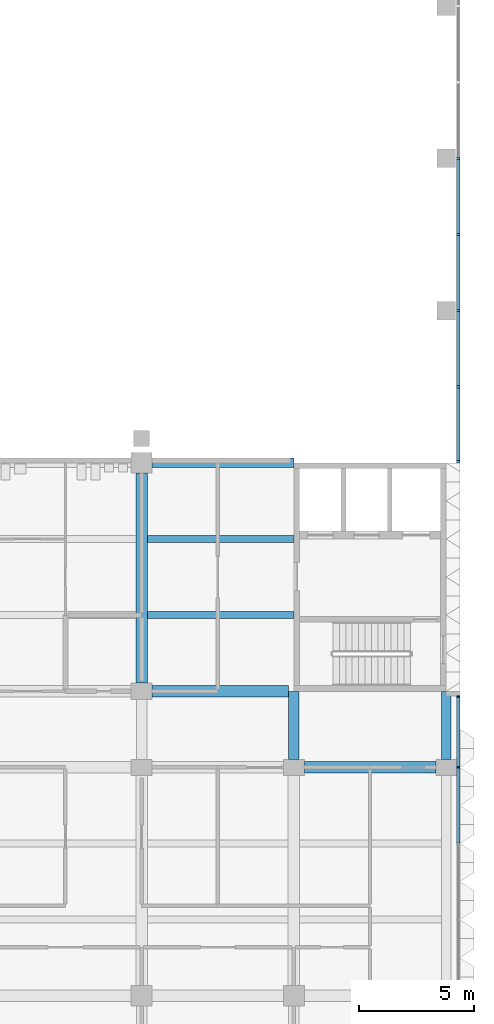
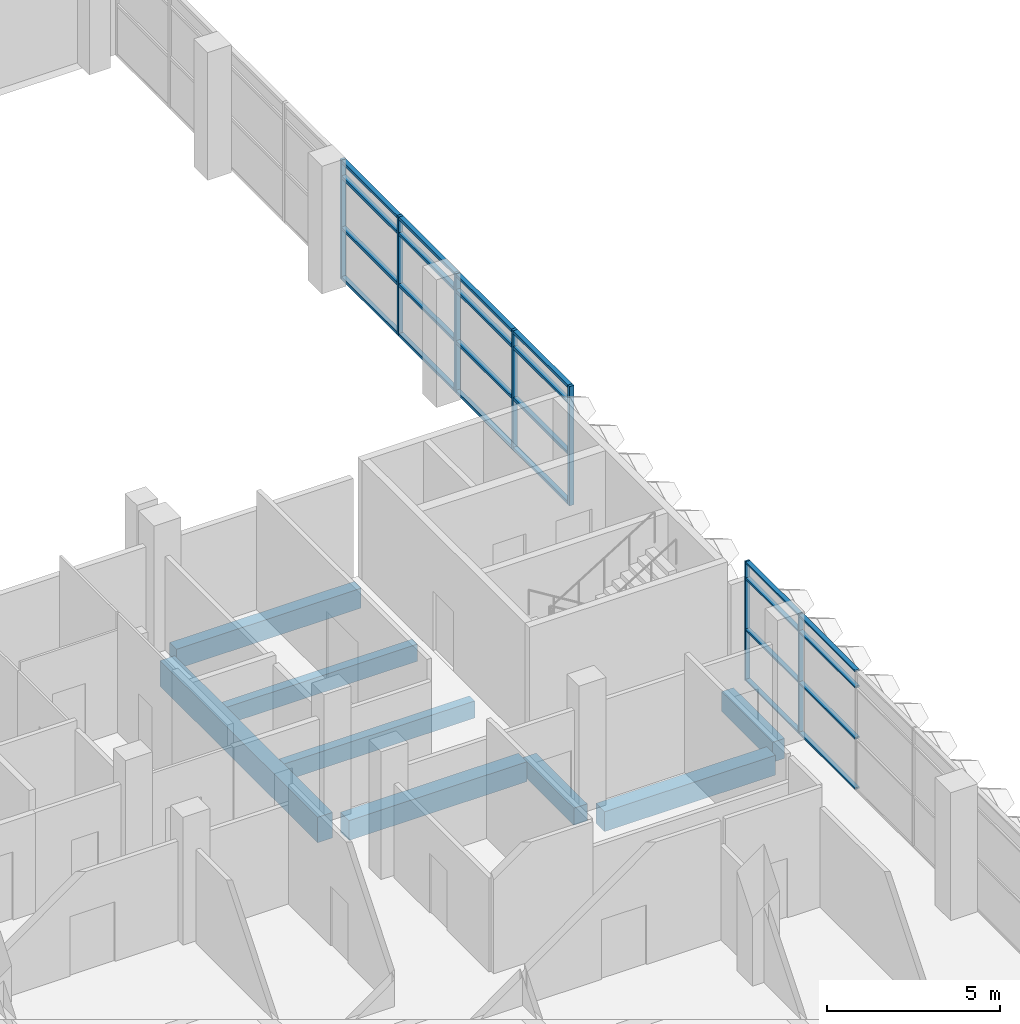
# One storey, part 13 of 102: 31 members, 8 beams, 2 elements without a shape of their own.
"""IFC4 building model written with IfcOpenShell, lengths in metres."""

from ifc_helpers import new_model, si_unit, direction, frame, origin, origin_2d, place, context, subcontext, project, spatial, rectangle, extrude, material, material_profile, profile_set, type_object, element, aggregate, save


model = new_model("IFC4")

# Units and contexts
model_context = context("Model", 3, precision=1e-05, world=origin(), true_north=direction((0.0, 1.0)))
body_context = subcontext(model_context, "Body", "Model", "MODEL_VIEW")
ifc_project = project(units=[si_unit("LENGTHUNIT", "METRE"), si_unit("AREAUNIT", "SQUARE_METRE"), si_unit("VOLUMEUNIT", "CUBIC_METRE"), si_unit("PLANEANGLEUNIT", "RADIAN"), si_unit("MASSUNIT", "GRAM", prefix="KILO")], contexts=[model_context])

# Site, building, storey
site_placement = place(None, origin())
site = spatial("IfcSite", under=ifc_project, at=site_placement, CompositionType="ELEMENT")
building_placement = place(site_placement, origin())
building = spatial("IfcBuilding", under=site, at=building_placement, Name="Lantern Court Research Institute", CompositionType="ELEMENT")
storey_placement = place(building_placement, frame((0.0, 0.0, 9.89990234375)))
storey = spatial("IfcBuildingStorey", under=building, at=storey_placement, Name="L02", CompositionType="ELEMENT", Elevation=9.89990234375)

# Curtain wall, members
ifc_material_1 = material(Name="Aluminium alloy 6063-T6", Category="aluminium")
curtain_wall_type_1 = type_object("IfcCurtainWallType", Name="Curtain wall 26200 x 4200 x 150 aluminium frame", PredefinedType="NOTDEFINED", material=ifc_material_1)
curtain_wall_1_placement = place(storey_placement, origin())
curtain_wall_1 = element("IfcCurtainWall", 1, at=curtain_wall_1_placement, inside=storey, type_object=curtain_wall_type_1, Name="Curtain wall CW034", PredefinedType="NOTDEFINED")
ifc_material_2 = material(Name="Aluminium alloy 6063-T6", Category="aluminium")
ifc_material_profile_1 = material_profile(ifc_material_2, rectangle(XDim=0.14990234375, YDim=0.10009765625, at=origin_2d()), Name="Mullion 150 x 100")
ifc_profile_set_1 = profile_set([ifc_material_profile_1], Name="Aluminium alloy 6063-T6")
member_type_1 = type_object("IfcMemberType", Name="Mullion 150 x 100 aluminium", PredefinedType="MULLION", material=ifc_profile_set_1)
member_1_placement = place(storey_placement, frame((79.72509765625, 23.14990234375, 0.0), z_axis=(0.0, 0.0, 1.0), x_axis=(1.0, 0.0, 0.0)))
member_1 = element("IfcMember", 2, at=member_1_placement, type_object=member_type_1, Name="CW034 mullion 1", PredefinedType="MULLION", context=body_context, shape_type="SweptSolid", body=[
    extrude(rectangle(XDim=0.14990234375, YDim=0.10009765625, at=origin_2d()), origin(), (0.0, 0.0, 1.0), 4.2001953125),
])
member_2_placement = place(storey_placement, frame((79.72509765625, 26.39990234375, 0.0), z_axis=(0.0, 0.0, 1.0), x_axis=(1.0, 0.0, 0.0)))
member_2 = element("IfcMember", 3, at=member_2_placement, type_object=member_type_1, Name="CW034 mullion 2", PredefinedType="MULLION", context=body_context, shape_type="SweptSolid", body=[
    extrude(rectangle(XDim=0.14990234375, YDim=0.10009765625, at=origin_2d()), origin(), (0.0, 0.0, 1.0), 4.2001953125),
])
member_3_placement = place(storey_placement, frame((79.72509765625, 29.699951171875, 0.0), z_axis=(0.0, 0.0, 1.0), x_axis=(1.0, 0.0, 0.0)))
member_3 = element("IfcMember", 4, at=member_3_placement, type_object=member_type_1, Name="CW034 mullion 3", PredefinedType="MULLION", context=body_context, shape_type="SweptSolid", body=[
    extrude(rectangle(XDim=0.14990234375, YDim=0.10009765625, at=origin_2d()), origin(), (0.0, 0.0, 1.0), 4.2001953125),
])
member_4_placement = place(storey_placement, frame((79.72509765625, 33.0, 0.0), z_axis=(0.0, 0.0, 1.0), x_axis=(1.0, 0.0, 0.0)))
member_4 = element("IfcMember", 5, at=member_4_placement, type_object=member_type_1, Name="CW034 mullion 4", PredefinedType="MULLION", context=body_context, shape_type="SweptSolid", body=[
    extrude(rectangle(XDim=0.14990234375, YDim=0.10009765625, at=origin_2d()), origin(), (0.0, 0.0, 1.0), 4.2001953125),
])
member_5_placement = place(storey_placement, frame((79.72509765625, 36.300048828125, 0.0), z_axis=(0.0, 0.0, 1.0), x_axis=(1.0, 0.0, 0.0)))
member_5 = element("IfcMember", 6, at=member_5_placement, type_object=member_type_1, Name="CW034 mullion 5", PredefinedType="MULLION", context=body_context, shape_type="SweptSolid", body=[
    extrude(rectangle(XDim=0.14990234375, YDim=0.10009765625, at=origin_2d()), origin(), (0.0, 0.0, 1.0), 4.2001953125),
])

ifc_material_3 = material(Name="Aluminium alloy 6063-T6", Category="aluminium")
curtain_wall_type_2 = type_object("IfcCurtainWallType", Name="Curtain wall 21250 x 4200 x 150 aluminium frame", PredefinedType="NOTDEFINED", material=ifc_material_3)
curtain_wall_2_placement = place(storey_placement, origin())
curtain_wall_2 = element("IfcCurtainWall", 7, at=curtain_wall_2_placement, inside=storey, type_object=curtain_wall_type_2, Name="Curtain wall CW043", PredefinedType="NOTDEFINED")
ifc_material_4 = material(Name="Aluminium alloy 6063-T6", Category="aluminium")
ifc_material_profile_2 = material_profile(ifc_material_4, rectangle(XDim=0.14990234375, YDim=0.06005859375, at=origin_2d()), Name="Mullion 150 x 60")
ifc_profile_set_2 = profile_set([ifc_material_profile_2], Name="Aluminium alloy 6063-T6")
member_type_2 = type_object("IfcMemberType", Name="Mullion 150 x 60 aluminium", PredefinedType="MULLION", material=ifc_profile_set_2)
member_6_placement = place(storey_placement, frame((79.72509765625, 9.89990234375, 0.0), z_axis=(0.0, 0.0, 1.0), x_axis=(1.0, 0.0, 0.0)))
member_6 = element("IfcMember", 8, at=member_6_placement, type_object=member_type_2, Name="CW043 mullion 7", PredefinedType="MULLION", context=body_context, shape_type="SweptSolid", body=[
    extrude(rectangle(XDim=0.14990234375, YDim=0.06005859375, at=origin_2d()), origin(), (0.0, 0.0, 1.0), 4.2001953125),
])
member_7_placement = place(storey_placement, frame((79.72509765625, 12.969970703125, 0.0), z_axis=(0.0, 0.0, 1.0), x_axis=(1.0, 0.0, 0.0)))
member_7 = element("IfcMember", 9, at=member_7_placement, type_object=member_type_2, Name="CW043 mullion 8", PredefinedType="MULLION", context=body_context, shape_type="SweptSolid", body=[
    extrude(rectangle(XDim=0.14990234375, YDim=0.06005859375, at=origin_2d()), origin(), (0.0, 0.0, 1.0), 4.2001953125),
])

# Beams
ifc_material_5 = material(Name="Concrete C40/50", Category="concrete")
ifc_material_profile_3 = material_profile(ifc_material_5, rectangle(XDim=0.5, YDim=0.699951171875, at=origin_2d()), Name="RC beam 500 x 700")
ifc_profile_set_3 = profile_set([ifc_material_profile_3], Name="Concrete C40/50")
beam_type_1 = type_object("IfcBeamType", Name="RC beam 500 x 700", PredefinedType="BEAM", material=ifc_profile_set_3)
beam_1_placement = place(storey_placement, frame((73.050048828125, 9.89990234375, -0.64990234375), z_axis=(1.0, 0.0, 0.0), x_axis=(0.0, 1.0, 0.0)))
element("IfcBeam", 10, at=beam_1_placement, inside=storey, type_object=beam_type_1, Name="Beam L02 grid B/12-13", PredefinedType="BEAM", context=body_context, shape_type="SweptSolid", body=[
    extrude(rectangle(XDim=0.5, YDim=0.699951171875, at=origin_2d()), origin(), (0.0, 0.0, 1.0), 5.699951171875),
])
beam_2_placement = place(storey_placement, frame((66.449951171875, 13.199951171875, -0.64990234375), z_axis=(1.0, 0.0, 0.0), x_axis=(0.0, 1.0, 0.0)))
element("IfcBeam", 11, at=beam_2_placement, inside=storey, type_object=beam_type_1, Name="Beam L02 grid C/11-12", PredefinedType="BEAM", context=body_context, shape_type="SweptSolid", body=[
    extrude(rectangle(XDim=0.5, YDim=0.699951171875, at=origin_2d()), origin(), (0.0, 0.0, 1.0), 5.925048828125),
])
ifc_material_6 = material(Name="Concrete C40/50", Category="concrete")
ifc_material_profile_4 = material_profile(ifc_material_6, rectangle(XDim=0.39990234375, YDim=0.699951171875, at=origin_2d()), Name="RC beam 400 x 700")
ifc_profile_set_4 = profile_set([ifc_material_profile_4], Name="Concrete C40/50")
beam_type_2 = type_object("IfcBeamType", Name="RC edge beam 400 x 700", PredefinedType="BEAM", material=ifc_profile_set_4)
beam_3_placement = place(storey_placement, frame((79.199951171875, 10.25, -0.64990234375), z_axis=(0.0, 1.0, 0.0), x_axis=(-1.0, 0.0, 0.0)))
element("IfcBeam", 12, at=beam_3_placement, inside=storey, type_object=beam_type_2, Name="Edge beam L02 grid 13/B-C", PredefinedType="BEAM", context=body_context, shape_type="SweptSolid", body=[
    extrude(rectangle(XDim=0.39990234375, YDim=0.699951171875, at=origin_2d()), origin(), (0.0, 0.0, 1.0), 2.949951171875),
])
beam_4_placement = place(storey_placement, frame((66.449951171875, 23.10009765625, -0.64990234375), z_axis=(1.0, 0.0, 0.0), x_axis=(0.0, 1.0, 0.0)))
element("IfcBeam", 13, at=beam_4_placement, inside=storey, type_object=beam_type_2, Name="Edge beam L02 grid D/11-12", PredefinedType="BEAM", context=body_context, shape_type="SweptSolid", body=[
    extrude(rectangle(XDim=0.39990234375, YDim=0.699951171875, at=origin_2d()), origin(), (0.0, 0.0, 1.0), 6.150146484375),
])
ifc_material_7 = material(Name="Concrete C40/50", Category="concrete")
ifc_material_profile_5 = material_profile(ifc_material_7, rectangle(XDim=0.5, YDim=0.89990234375, at=origin_2d()), Name="RC beam 500 x 900")
ifc_profile_set_5 = profile_set([ifc_material_profile_5], Name="Concrete C40/50")
beam_type_3 = type_object("IfcBeamType", Name="RC girder 500 x 900", PredefinedType="BEAM", material=ifc_profile_set_5)
beam_5_placement = place(storey_placement, frame((66.0, 13.550048828125, -0.75), z_axis=(0.0, 1.0, 0.0), x_axis=(-1.0, 0.0, 0.0)))
element("IfcBeam", 14, at=beam_5_placement, inside=storey, type_object=beam_type_3, Name="Girder L02 grid 11/C-D", PredefinedType="BEAM", context=body_context, shape_type="SweptSolid", body=[
    extrude(rectangle(XDim=0.5, YDim=0.89990234375, at=origin_2d()), origin(), (0.0, 0.0, 1.0), 9.099853515625),
])
ifc_material_8 = material(Name="Concrete C40/50", Category="concrete")
ifc_material_profile_6 = material_profile(ifc_material_8, rectangle(XDim=0.300048828125, YDim=0.60009765625, at=origin_2d()), Name="RC beam 300 x 600")
ifc_profile_set_6 = profile_set([ifc_material_profile_6], Name="Concrete C40/50")
beam_type_4 = type_object("IfcBeamType", Name="RC secondary beam 300 x 600", PredefinedType="BEAM", material=ifc_profile_set_6)
for number, where, z_axis, x_axis, name in (
    (15, (66.25, 16.5, -0.599853515625), (1.0, 0.0, 0.0), (0.0, 1.0, 0.0), "Secondary beam L02 grids 11-12 / C-D, line 1"),
    (16, (66.25, 19.800048828125, -0.599853515625), (1.0, 0.0, 0.0), (0.0, 1.0, 0.0), "Secondary beam L02 grids 11-12 / C-D, line 2"),
):
    element("IfcBeam", number, at=place(storey_placement, frame(where, z_axis=z_axis, x_axis=x_axis)), inside=storey, type_object=beam_type_4, Name=name, PredefinedType="BEAM", context=body_context, shape_type="SweptSolid", body=[
        extrude(rectangle(XDim=0.300048828125, YDim=0.60009765625, at=origin_2d()), origin(), (0.0, 0.0, 1.0), 6.35009765625),
    ])
ifc_material_9 = material(Name="Concrete C40/50", Category="concrete")
ifc_material_profile_7 = material_profile(ifc_material_9, rectangle(XDim=0.449951171875, YDim=0.60009765625, at=origin_2d()), Name="RC beam 450 x 600")
ifc_profile_set_7 = profile_set([ifc_material_profile_7], Name="Concrete C40/50")
beam_type_5 = type_object("IfcBeamType", Name="RC spine beam 450 x 600", PredefinedType="BEAM", material=ifc_profile_set_7)
beam_6_placement = place(storey_placement, frame((72.60009765625, 10.25, -0.599853515625), z_axis=(0.0, 1.0, 0.0), x_axis=(-1.0, 0.0, 0.0)))
element("IfcBeam", 17, at=beam_6_placement, inside=storey, type_object=beam_type_5, Name="Beam L02 grid 12/B-C", PredefinedType="BEAM", context=body_context, shape_type="SweptSolid", body=[
    extrude(rectangle(XDim=0.449951171875, YDim=0.60009765625, at=origin_2d()), origin(), (0.0, 0.0, 1.0), 2.949951171875),
])

# Member
ifc_material_10 = material(Name="Aluminium alloy 6063-T6", Category="aluminium")
ifc_material_profile_8 = material_profile(ifc_material_10, rectangle(XDim=0.14990234375, YDim=0.10009765625, at=origin_2d()), Name="Transom 150 x 100")
ifc_profile_set_8 = profile_set([ifc_material_profile_8], Name="Aluminium alloy 6063-T6")
member_type_3 = type_object("IfcMemberType", Name="Transom 150 x 100 aluminium", PredefinedType="USERDEFINED", material=ifc_profile_set_8)
member_8_placement = place(storey_placement, frame((79.72509765625, 26.35009765625, 0.050048828125), z_axis=(0.0, -1.0, 0.0), x_axis=(1.0, 0.0, 0.0)))
member_8 = element("IfcMember", 18, at=member_8_placement, type_object=member_type_3, Name="CW034 transom 1.1", ObjectType="TRANSOM", PredefinedType="USERDEFINED", context=body_context, shape_type="SweptSolid", body=[
    extrude(rectangle(XDim=0.14990234375, YDim=0.10009765625, at=origin_2d()), origin(), (0.0, 0.0, 1.0), 3.150146484375),
])

member_9_placement = place(storey_placement, frame((79.72509765625, 26.35009765625, 1.800048828125), z_axis=(0.0, -1.0, 0.0), x_axis=(1.0, 0.0, 0.0)))
member_9 = element("IfcMember", 19, at=member_9_placement, type_object=member_type_3, Name="CW034 transom 1.2", ObjectType="TRANSOM", PredefinedType="USERDEFINED", context=body_context, shape_type="SweptSolid", body=[
    extrude(rectangle(XDim=0.14990234375, YDim=0.10009765625, at=origin_2d()), origin(), (0.0, 0.0, 1.0), 3.150146484375),
])

member_10_placement = place(storey_placement, frame((79.72509765625, 26.35009765625, 3.60009765625), z_axis=(0.0, -1.0, 0.0), x_axis=(1.0, 0.0, 0.0)))
member_10 = element("IfcMember", 20, at=member_10_placement, type_object=member_type_3, Name="CW034 transom 1.3", ObjectType="TRANSOM", PredefinedType="USERDEFINED", context=body_context, shape_type="SweptSolid", body=[
    extrude(rectangle(XDim=0.14990234375, YDim=0.10009765625, at=origin_2d()), origin(), (0.0, 0.0, 1.0), 3.150146484375),
])

member_11_placement = place(storey_placement, frame((79.72509765625, 26.35009765625, 4.150146484375), z_axis=(0.0, -1.0, 0.0), x_axis=(1.0, 0.0, 0.0)))
member_11 = element("IfcMember", 21, at=member_11_placement, type_object=member_type_3, Name="CW034 transom 1.4", ObjectType="TRANSOM", PredefinedType="USERDEFINED", context=body_context, shape_type="SweptSolid", body=[
    extrude(rectangle(XDim=0.14990234375, YDim=0.10009765625, at=origin_2d()), origin(), (0.0, 0.0, 1.0), 3.150146484375),
])

member_12_placement = place(storey_placement, frame((79.72509765625, 29.64990234375, 0.050048828125), z_axis=(0.0, -1.0, 0.0), x_axis=(1.0, 0.0, 0.0)))
member_12 = element("IfcMember", 22, at=member_12_placement, type_object=member_type_3, Name="CW034 transom 2.1", ObjectType="TRANSOM", PredefinedType="USERDEFINED", context=body_context, shape_type="SweptSolid", body=[
    extrude(rectangle(XDim=0.14990234375, YDim=0.10009765625, at=origin_2d()), origin(), (0.0, 0.0, 1.0), 3.199951171875),
])

member_13_placement = place(storey_placement, frame((79.72509765625, 29.64990234375, 1.800048828125), z_axis=(0.0, -1.0, 0.0), x_axis=(1.0, 0.0, 0.0)))
member_13 = element("IfcMember", 23, at=member_13_placement, type_object=member_type_3, Name="CW034 transom 2.2", ObjectType="TRANSOM", PredefinedType="USERDEFINED", context=body_context, shape_type="SweptSolid", body=[
    extrude(rectangle(XDim=0.14990234375, YDim=0.10009765625, at=origin_2d()), origin(), (0.0, 0.0, 1.0), 3.199951171875),
])

member_14_placement = place(storey_placement, frame((79.72509765625, 29.64990234375, 3.60009765625), z_axis=(0.0, -1.0, 0.0), x_axis=(1.0, 0.0, 0.0)))
member_14 = element("IfcMember", 24, at=member_14_placement, type_object=member_type_3, Name="CW034 transom 2.3", ObjectType="TRANSOM", PredefinedType="USERDEFINED", context=body_context, shape_type="SweptSolid", body=[
    extrude(rectangle(XDim=0.14990234375, YDim=0.10009765625, at=origin_2d()), origin(), (0.0, 0.0, 1.0), 3.199951171875),
])

member_15_placement = place(storey_placement, frame((79.72509765625, 29.64990234375, 4.150146484375), z_axis=(0.0, -1.0, 0.0), x_axis=(1.0, 0.0, 0.0)))
member_15 = element("IfcMember", 25, at=member_15_placement, type_object=member_type_3, Name="CW034 transom 2.4", ObjectType="TRANSOM", PredefinedType="USERDEFINED", context=body_context, shape_type="SweptSolid", body=[
    extrude(rectangle(XDim=0.14990234375, YDim=0.10009765625, at=origin_2d()), origin(), (0.0, 0.0, 1.0), 3.199951171875),
])

member_16_placement = place(storey_placement, frame((79.72509765625, 32.949951171875, 0.050048828125), z_axis=(0.0, -1.0, 0.0), x_axis=(1.0, 0.0, 0.0)))
member_16 = element("IfcMember", 26, at=member_16_placement, type_object=member_type_3, Name="CW034 transom 3.1", ObjectType="TRANSOM", PredefinedType="USERDEFINED", context=body_context, shape_type="SweptSolid", body=[
    extrude(rectangle(XDim=0.14990234375, YDim=0.10009765625, at=origin_2d()), origin(), (0.0, 0.0, 1.0), 3.199951171875),
])

member_17_placement = place(storey_placement, frame((79.72509765625, 32.949951171875, 1.800048828125), z_axis=(0.0, -1.0, 0.0), x_axis=(1.0, 0.0, 0.0)))
member_17 = element("IfcMember", 27, at=member_17_placement, type_object=member_type_3, Name="CW034 transom 3.2", ObjectType="TRANSOM", PredefinedType="USERDEFINED", context=body_context, shape_type="SweptSolid", body=[
    extrude(rectangle(XDim=0.14990234375, YDim=0.10009765625, at=origin_2d()), origin(), (0.0, 0.0, 1.0), 3.199951171875),
])

member_18_placement = place(storey_placement, frame((79.72509765625, 32.949951171875, 3.60009765625), z_axis=(0.0, -1.0, 0.0), x_axis=(1.0, 0.0, 0.0)))
member_18 = element("IfcMember", 28, at=member_18_placement, type_object=member_type_3, Name="CW034 transom 3.3", ObjectType="TRANSOM", PredefinedType="USERDEFINED", context=body_context, shape_type="SweptSolid", body=[
    extrude(rectangle(XDim=0.14990234375, YDim=0.10009765625, at=origin_2d()), origin(), (0.0, 0.0, 1.0), 3.199951171875),
])

member_19_placement = place(storey_placement, frame((79.72509765625, 32.949951171875, 4.150146484375), z_axis=(0.0, -1.0, 0.0), x_axis=(1.0, 0.0, 0.0)))
member_19 = element("IfcMember", 29, at=member_19_placement, type_object=member_type_3, Name="CW034 transom 3.4", ObjectType="TRANSOM", PredefinedType="USERDEFINED", context=body_context, shape_type="SweptSolid", body=[
    extrude(rectangle(XDim=0.14990234375, YDim=0.10009765625, at=origin_2d()), origin(), (0.0, 0.0, 1.0), 3.199951171875),
])

member_20_placement = place(storey_placement, frame((79.72509765625, 36.25, 0.050048828125), z_axis=(0.0, -1.0, 0.0), x_axis=(1.0, 0.0, 0.0)))
member_20 = element("IfcMember", 30, at=member_20_placement, type_object=member_type_3, Name="CW034 transom 4.1", ObjectType="TRANSOM", PredefinedType="USERDEFINED", context=body_context, shape_type="SweptSolid", body=[
    extrude(rectangle(XDim=0.14990234375, YDim=0.10009765625, at=origin_2d()), origin(), (0.0, 0.0, 1.0), 3.199951171875),
])

member_21_placement = place(storey_placement, frame((79.72509765625, 36.25, 1.800048828125), z_axis=(0.0, -1.0, 0.0), x_axis=(1.0, 0.0, 0.0)))
member_21 = element("IfcMember", 31, at=member_21_placement, type_object=member_type_3, Name="CW034 transom 4.2", ObjectType="TRANSOM", PredefinedType="USERDEFINED", context=body_context, shape_type="SweptSolid", body=[
    extrude(rectangle(XDim=0.14990234375, YDim=0.10009765625, at=origin_2d()), origin(), (0.0, 0.0, 1.0), 3.199951171875),
])

member_22_placement = place(storey_placement, frame((79.72509765625, 36.25, 3.60009765625), z_axis=(0.0, -1.0, 0.0), x_axis=(1.0, 0.0, 0.0)))
member_22 = element("IfcMember", 32, at=member_22_placement, type_object=member_type_3, Name="CW034 transom 4.3", ObjectType="TRANSOM", PredefinedType="USERDEFINED", context=body_context, shape_type="SweptSolid", body=[
    extrude(rectangle(XDim=0.14990234375, YDim=0.10009765625, at=origin_2d()), origin(), (0.0, 0.0, 1.0), 3.199951171875),
])

member_23_placement = place(storey_placement, frame((79.72509765625, 36.25, 4.150146484375), z_axis=(0.0, -1.0, 0.0), x_axis=(1.0, 0.0, 0.0)))
member_23 = element("IfcMember", 33, at=member_23_placement, type_object=member_type_3, Name="CW034 transom 4.4", ObjectType="TRANSOM", PredefinedType="USERDEFINED", context=body_context, shape_type="SweptSolid", body=[
    extrude(rectangle(XDim=0.14990234375, YDim=0.10009765625, at=origin_2d()), origin(), (0.0, 0.0, 1.0), 3.199951171875),
])

aggregate(curtain_wall_1, [member_1, member_2, member_3, member_4, member_5, member_8, member_9, member_10, member_11, member_12, member_13, member_14, member_15, member_16, member_17, member_18, member_19, member_20, member_21, member_22, member_23])

ifc_material_11 = material(Name="Aluminium alloy 6063-T6", Category="aluminium")
ifc_material_profile_9 = material_profile(ifc_material_11, rectangle(XDim=0.14990234375, YDim=0.06005859375, at=origin_2d()), Name="Transom 150 x 60")
ifc_profile_set_9 = profile_set([ifc_material_profile_9], Name="Aluminium alloy 6063-T6")
member_type_4 = type_object("IfcMemberType", Name="Transom 150 x 60 aluminium", PredefinedType="USERDEFINED", material=ifc_profile_set_9)
member_24_placement = place(storey_placement, frame((79.72509765625, 9.8701171875, 0.030029296875), z_axis=(0.0, -1.0, 0.0), x_axis=(1.0, 0.0, 0.0)))
member_24 = element("IfcMember", 34, at=member_24_placement, type_object=member_type_4, Name="CW043 transom 6.1", ObjectType="TRANSOM", PredefinedType="USERDEFINED", context=body_context, shape_type="SweptSolid", body=[
    extrude(rectangle(XDim=0.14990234375, YDim=0.06005859375, at=origin_2d()), origin(), (0.0, 0.0, 1.0), 3.240234375),
])

member_25_placement = place(storey_placement, frame((79.72509765625, 9.8701171875, 1.800048828125), z_axis=(0.0, -1.0, 0.0), x_axis=(1.0, 0.0, 0.0)))
member_25 = element("IfcMember", 35, at=member_25_placement, type_object=member_type_4, Name="CW043 transom 6.2", ObjectType="TRANSOM", PredefinedType="USERDEFINED", context=body_context, shape_type="SweptSolid", body=[
    extrude(rectangle(XDim=0.14990234375, YDim=0.06005859375, at=origin_2d()), origin(), (0.0, 0.0, 1.0), 3.240234375),
])

member_26_placement = place(storey_placement, frame((79.72509765625, 9.8701171875, 3.60009765625), z_axis=(0.0, -1.0, 0.0), x_axis=(1.0, 0.0, 0.0)))
member_26 = element("IfcMember", 36, at=member_26_placement, type_object=member_type_4, Name="CW043 transom 6.3", ObjectType="TRANSOM", PredefinedType="USERDEFINED", context=body_context, shape_type="SweptSolid", body=[
    extrude(rectangle(XDim=0.14990234375, YDim=0.06005859375, at=origin_2d()), origin(), (0.0, 0.0, 1.0), 3.240234375),
])

member_27_placement = place(storey_placement, frame((79.72509765625, 9.8701171875, 4.170166015625), z_axis=(0.0, -1.0, 0.0), x_axis=(1.0, 0.0, 0.0)))
member_27 = element("IfcMember", 37, at=member_27_placement, type_object=member_type_4, Name="CW043 transom 6.4", ObjectType="TRANSOM", PredefinedType="USERDEFINED", context=body_context, shape_type="SweptSolid", body=[
    extrude(rectangle(XDim=0.14990234375, YDim=0.06005859375, at=origin_2d()), origin(), (0.0, 0.0, 1.0), 3.240234375),
])

member_28_placement = place(storey_placement, frame((79.72509765625, 12.93994140625, 0.030029296875), z_axis=(0.0, -1.0, 0.0), x_axis=(1.0, 0.0, 0.0)))
member_28 = element("IfcMember", 38, at=member_28_placement, type_object=member_type_4, Name="CW043 transom 7.1", ObjectType="TRANSOM", PredefinedType="USERDEFINED", context=body_context, shape_type="SweptSolid", body=[
    extrude(rectangle(XDim=0.14990234375, YDim=0.06005859375, at=origin_2d()), origin(), (0.0, 0.0, 1.0), 3.010009765625),
])

member_29_placement = place(storey_placement, frame((79.72509765625, 12.93994140625, 1.800048828125), z_axis=(0.0, -1.0, 0.0), x_axis=(1.0, 0.0, 0.0)))
member_29 = element("IfcMember", 39, at=member_29_placement, type_object=member_type_4, Name="CW043 transom 7.2", ObjectType="TRANSOM", PredefinedType="USERDEFINED", context=body_context, shape_type="SweptSolid", body=[
    extrude(rectangle(XDim=0.14990234375, YDim=0.06005859375, at=origin_2d()), origin(), (0.0, 0.0, 1.0), 3.010009765625),
])

member_30_placement = place(storey_placement, frame((79.72509765625, 12.93994140625, 3.60009765625), z_axis=(0.0, -1.0, 0.0), x_axis=(1.0, 0.0, 0.0)))
member_30 = element("IfcMember", 40, at=member_30_placement, type_object=member_type_4, Name="CW043 transom 7.3", ObjectType="TRANSOM", PredefinedType="USERDEFINED", context=body_context, shape_type="SweptSolid", body=[
    extrude(rectangle(XDim=0.14990234375, YDim=0.06005859375, at=origin_2d()), origin(), (0.0, 0.0, 1.0), 3.010009765625),
])

member_31_placement = place(storey_placement, frame((79.72509765625, 12.93994140625, 4.170166015625), z_axis=(0.0, -1.0, 0.0), x_axis=(1.0, 0.0, 0.0)))
member_31 = element("IfcMember", 41, at=member_31_placement, type_object=member_type_4, Name="CW043 transom 7.4", ObjectType="TRANSOM", PredefinedType="USERDEFINED", context=body_context, shape_type="SweptSolid", body=[
    extrude(rectangle(XDim=0.14990234375, YDim=0.06005859375, at=origin_2d()), origin(), (0.0, 0.0, 1.0), 3.010009765625),
])

aggregate(curtain_wall_2, [member_6, member_7, member_24, member_25, member_26, member_27, member_28, member_29, member_30, member_31])

save(model, "model.ifc")
